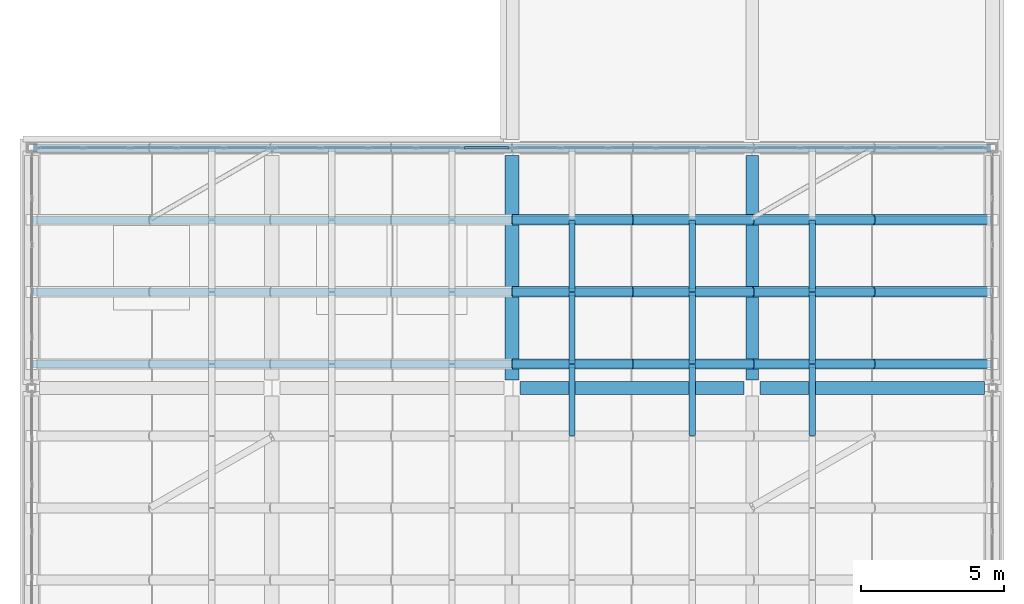
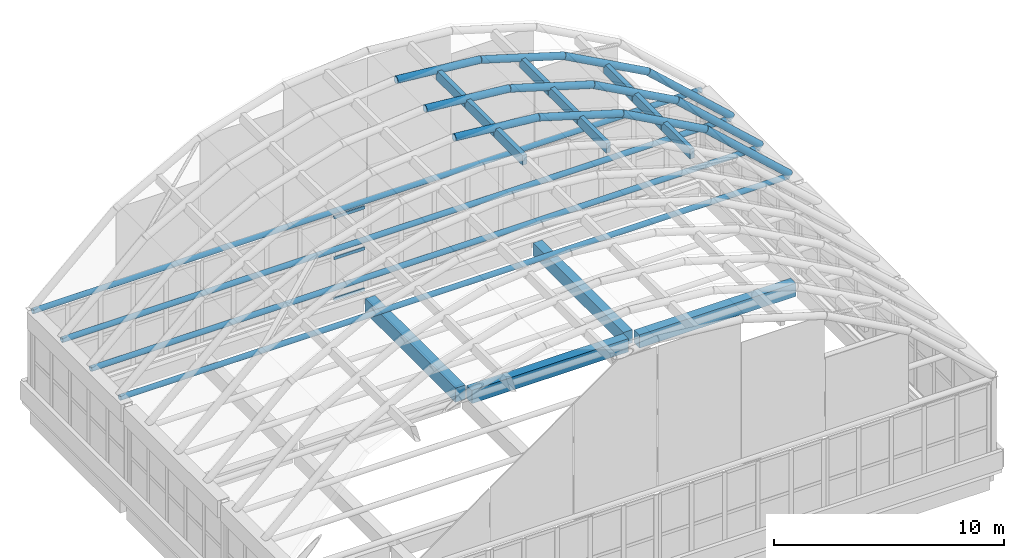
# One storey, part 16 of 26: 20 beams, 12 members, 1 element without a shape of its own.
"""IFC4 building model written with IfcOpenShell, lengths in metres."""

from ifc_helpers import new_model, si_unit, direction, frame, origin, origin_2d, place, context, subcontext, project, spatial, rectangle, hollow_rectangle, hollow_circle, extrude, material, layer, layer_set, material_profile, profile_set, type_object, element, aggregate, save


model = new_model("IFC4")

# Units and contexts
model_context = context("Model", 3, precision=1e-05, world=origin(), true_north=direction((0.0, 1.0)))
body_context = subcontext(model_context, "Body", "Model", "MODEL_VIEW")
ifc_project = project(units=[si_unit("LENGTHUNIT", "METRE"), si_unit("AREAUNIT", "SQUARE_METRE"), si_unit("VOLUMEUNIT", "CUBIC_METRE"), si_unit("PLANEANGLEUNIT", "RADIAN"), si_unit("MASSUNIT", "GRAM", prefix="KILO")], contexts=[model_context])

# Site, building, storey
site_placement = place(None, origin())
site = spatial("IfcSite", under=ifc_project, at=site_placement, CompositionType="ELEMENT")
building_placement = place(site_placement, origin())
building = spatial("IfcBuilding", under=site, at=building_placement, Name="Xazarin Passage Department Store", CompositionType="ELEMENT")
storey_placement = place(building_placement, frame((0.0, 0.0, 36.89990234375)))
storey = spatial("IfcBuildingStorey", under=building, at=storey_placement, Name="RF", CompositionType="ELEMENT", Elevation=36.89990234375)

# Curtain wall, members
ifc_material_1 = material(Name="Bronze anodised aluminium", Category="aluminium")
ifc_layer = layer(ifc_material_1, 0.199951171875)
ifc_layer_set = layer_set([ifc_layer], Name="Bronze anodised aluminium")
curtain_wall_type = type_object("IfcCurtainWallType", Name="ARC-CW-VIT2", PredefinedType="NOTDEFINED", material=ifc_layer_set)
curtain_wall_placement = place(storey_placement, origin())
curtain_wall = element("IfcCurtainWall", 1, at=curtain_wall_placement, inside=storey, type_object=curtain_wall_type, Name="RF V1 Atrium Lantern Curtain Wall 10", PredefinedType="NOTDEFINED")
ifc_material_profile_1 = material_profile(ifc_material_1, hollow_rectangle(XDim=0.074951171875, YDim=0.159912109375, WallThickness=0.00439453125, at=origin_2d()), Name="ALU 75x160")
ifc_profile_set_1 = profile_set([ifc_material_profile_1], Name="Bronze anodised aluminium")
member_type_1 = type_object("IfcMemberType", Name="ARC-CWT-75x160", PredefinedType="USERDEFINED", material=ifc_profile_set_1)
member_1_placement = place(storey_placement, frame((15.133544921875, 101.60009765625, 0.03759765625), z_axis=(1.0, 0.0, 0.0), x_axis=(0.0, 1.0, 0.0)))
member_1 = element("IfcMember", 2, at=member_1_placement, type_object=member_type_1, Name="CW2 transom 5.1", ObjectType="TRANSOM", PredefinedType="USERDEFINED", context=body_context, shape_type="SweptSolid", body=[
    extrude(hollow_rectangle(XDim=0.074951171875, YDim=0.159912109375, WallThickness=0.00439453125, at=origin_2d()), origin(), (0.0, 0.0, 1.0), 1.551513671875),
])
member_2_placement = place(storey_placement, frame((15.133544921875, 101.60009765625, 2.2021484375), z_axis=(1.0, 0.0, 0.0), x_axis=(0.0, 1.0, 0.0)))
member_2 = element("IfcMember", 3, at=member_2_placement, type_object=member_type_1, Name="CW2 transom 5.2", ObjectType="TRANSOM", PredefinedType="USERDEFINED", context=body_context, shape_type="SweptSolid", body=[
    extrude(hollow_rectangle(XDim=0.074951171875, YDim=0.159912109375, WallThickness=0.00439453125, at=origin_2d()), origin(), (0.0, 0.0, 1.0), 1.551513671875),
])
member_3_placement = place(storey_placement, frame((15.133544921875, 101.60009765625, 4.36669921875), z_axis=(1.0, 0.0, 0.0), x_axis=(0.0, 1.0, 0.0)))
member_3 = element("IfcMember", 4, at=member_3_placement, type_object=member_type_1, Name="CW2 transom 5.3", ObjectType="TRANSOM", PredefinedType="USERDEFINED", context=body_context, shape_type="SweptSolid", body=[
    extrude(hollow_rectangle(XDim=0.074951171875, YDim=0.159912109375, WallThickness=0.00439453125, at=origin_2d()), origin(), (0.0, 0.0, 1.0), 1.551513671875),
])
aggregate(curtain_wall, [member_1, member_2, member_3])

# Beams
ifc_material_2 = material(Name="Steel S355", Category="steel")
ifc_material_profile_2 = material_profile(ifc_material_2, hollow_circle(Radius=0.177734375, WallThickness=0.01611328125, at=origin_2d()), Name="CHS 355.6x16")
ifc_profile_set_2 = profile_set([ifc_material_profile_2], Name="Steel S355")
beam_type_1 = type_object("IfcBeamType", Name="STR-BM-AR355", PredefinedType="BEAM", material=ifc_profile_set_2)
beam_1_placement = place(storey_placement, frame((16.800048828125, 94.0400390625, 12.60009765625), z_axis=(0.995387696044, 0.0, -0.095934011512), x_axis=(0.0, 1.0, 0.0)))
element("IfcBeam", 5, at=beam_1_placement, inside=storey, type_object=beam_type_1, Name="V1V Primary Arch Rib 8.5", PredefinedType="BEAM", context=body_context, shape_type="SweptSolid", body=[
    extrude(hollow_circle(Radius=0.177734375, WallThickness=0.01611328125, at=origin_2d()), origin(), (0.0, 0.0, 1.0), 4.219482421875),
])
beam_2_placement = place(storey_placement, frame((21.0, 94.0400390625, 12.1953125), z_axis=(0.957702086096, 0.0, -0.287761558044), x_axis=(0.0, 1.0, 0.0)))
element("IfcBeam", 6, at=beam_2_placement, inside=storey, type_object=beam_type_1, Name="V1V Primary Arch Rib 8.6", PredefinedType="BEAM", context=body_context, shape_type="SweptSolid", body=[
    extrude(hollow_circle(Radius=0.177734375, WallThickness=0.01611328125, at=origin_2d()), origin(), (0.0, 0.0, 1.0), 4.385498046875),
])
beam_3_placement = place(storey_placement, frame((25.199951171875, 94.0400390625, 10.933349609375), z_axis=(0.877197007336, 0.0, -0.480130617978), x_axis=(0.0, 1.0, 0.0)))
element("IfcBeam", 7, at=beam_3_placement, inside=storey, type_object=beam_type_1, Name="V1V Primary Arch Rib 8.7", PredefinedType="BEAM", context=body_context, shape_type="SweptSolid", body=[
    extrude(hollow_circle(Radius=0.177734375, WallThickness=0.01611328125, at=origin_2d()), origin(), (0.0, 0.0, 1.0), 4.787841796875),
])
beam_4_placement = place(storey_placement, frame((29.39990234375, 94.0400390625, 8.634521484375), z_axis=(0.7388916912, 0.0, -0.673824211999), x_axis=(0.0, 1.0, 0.0)))
element("IfcBeam", 8, at=beam_4_placement, inside=storey, type_object=beam_type_1, Name="V1V Primary Arch Rib 8.8", PredefinedType="BEAM", context=body_context, shape_type="SweptSolid", body=[
    extrude(hollow_circle(Radius=0.177734375, WallThickness=0.01611328125, at=origin_2d()), origin(), (0.0, 0.0, 1.0), 5.6845703125),
])
beam_5_placement = place(storey_placement, frame((16.800048828125, 96.56005859375, 12.60009765625), z_axis=(0.995387696044, 0.0, -0.095934011512), x_axis=(0.0, 1.0, 0.0)))
element("IfcBeam", 9, at=beam_5_placement, inside=storey, type_object=beam_type_1, Name="V1V Primary Arch Rib 9.5", PredefinedType="BEAM", context=body_context, shape_type="SweptSolid", body=[
    extrude(hollow_circle(Radius=0.177734375, WallThickness=0.01611328125, at=origin_2d()), origin(), (0.0, 0.0, 1.0), 4.219482421875),
])
beam_6_placement = place(storey_placement, frame((21.0, 96.56005859375, 12.1953125), z_axis=(0.957702086096, 0.0, -0.287761558044), x_axis=(0.0, 1.0, 0.0)))
element("IfcBeam", 10, at=beam_6_placement, inside=storey, type_object=beam_type_1, Name="V1V Primary Arch Rib 9.6", PredefinedType="BEAM", context=body_context, shape_type="SweptSolid", body=[
    extrude(hollow_circle(Radius=0.177734375, WallThickness=0.01611328125, at=origin_2d()), origin(), (0.0, 0.0, 1.0), 4.385498046875),
])
beam_7_placement = place(storey_placement, frame((25.199951171875, 96.56005859375, 10.933349609375), z_axis=(0.877197007336, 0.0, -0.480130617978), x_axis=(0.0, 1.0, 0.0)))
element("IfcBeam", 11, at=beam_7_placement, inside=storey, type_object=beam_type_1, Name="V1V Primary Arch Rib 9.7", PredefinedType="BEAM", context=body_context, shape_type="SweptSolid", body=[
    extrude(hollow_circle(Radius=0.177734375, WallThickness=0.01611328125, at=origin_2d()), origin(), (0.0, 0.0, 1.0), 4.787841796875),
])
beam_8_placement = place(storey_placement, frame((29.39990234375, 96.56005859375, 8.634521484375), z_axis=(0.7388916912, 0.0, -0.673824211999), x_axis=(0.0, 1.0, 0.0)))
element("IfcBeam", 12, at=beam_8_placement, inside=storey, type_object=beam_type_1, Name="V1V Primary Arch Rib 9.8", PredefinedType="BEAM", context=body_context, shape_type="SweptSolid", body=[
    extrude(hollow_circle(Radius=0.177734375, WallThickness=0.01611328125, at=origin_2d()), origin(), (0.0, 0.0, 1.0), 5.6845703125),
])
beam_9_placement = place(storey_placement, frame((16.800048828125, 99.080078125, 12.60009765625), z_axis=(0.995387696044, 0.0, -0.095934011512), x_axis=(0.0, 1.0, 0.0)))
element("IfcBeam", 13, at=beam_9_placement, inside=storey, type_object=beam_type_1, Name="V1V Primary Arch Rib 10.5", PredefinedType="BEAM", context=body_context, shape_type="SweptSolid", body=[
    extrude(hollow_circle(Radius=0.177734375, WallThickness=0.01611328125, at=origin_2d()), origin(), (0.0, 0.0, 1.0), 4.219482421875),
])
beam_10_placement = place(storey_placement, frame((21.0, 99.080078125, 12.1953125), z_axis=(0.957702086096, 0.0, -0.287761558044), x_axis=(0.0, 1.0, 0.0)))
element("IfcBeam", 14, at=beam_10_placement, inside=storey, type_object=beam_type_1, Name="V1V Primary Arch Rib 10.6", PredefinedType="BEAM", context=body_context, shape_type="SweptSolid", body=[
    extrude(hollow_circle(Radius=0.177734375, WallThickness=0.01611328125, at=origin_2d()), origin(), (0.0, 0.0, 1.0), 4.385498046875),
])
beam_11_placement = place(storey_placement, frame((25.199951171875, 99.080078125, 10.933349609375), z_axis=(0.877197007336, 0.0, -0.480130617978), x_axis=(0.0, 1.0, 0.0)))
element("IfcBeam", 15, at=beam_11_placement, inside=storey, type_object=beam_type_1, Name="V1V Primary Arch Rib 10.7", PredefinedType="BEAM", context=body_context, shape_type="SweptSolid", body=[
    extrude(hollow_circle(Radius=0.177734375, WallThickness=0.01611328125, at=origin_2d()), origin(), (0.0, 0.0, 1.0), 4.787841796875),
])
beam_12_placement = place(storey_placement, frame((29.39990234375, 99.080078125, 8.634521484375), z_axis=(0.7388916912, 0.0, -0.673824211999), x_axis=(0.0, 1.0, 0.0)))
element("IfcBeam", 16, at=beam_12_placement, inside=storey, type_object=beam_type_1, Name="V1V Primary Arch Rib 10.8", PredefinedType="BEAM", context=body_context, shape_type="SweptSolid", body=[
    extrude(hollow_circle(Radius=0.177734375, WallThickness=0.01611328125, at=origin_2d()), origin(), (0.0, 0.0, 1.0), 5.6845703125),
])
ifc_material_3 = material(Name="Concrete C35/45", Category="concrete")
ifc_material_profile_3 = material_profile(ifc_material_3, rectangle(XDim=0.449951171875, YDim=0.699951171875, at=origin_2d()), Name="RC 450x700")
ifc_profile_set_3 = profile_set([ifc_material_profile_3], Name="Concrete C35/45")
beam_type_2 = type_object("IfcBeamType", Name="STR-BM-G450x700", PredefinedType="BEAM", material=ifc_profile_set_3)
beam_13_placement = place(storey_placement, frame((17.080078125, 93.199951171875, -0.60986328125), z_axis=(1.0, 0.0, 0.0), x_axis=(0.0, 1.0, 0.0)))
element("IfcBeam", 17, at=beam_13_placement, inside=storey, type_object=beam_type_2, Name="RF Grid Beam N/3-4", PredefinedType="BEAM", context=body_context, shape_type="SweptSolid", body=[
    extrude(rectangle(XDim=0.449951171875, YDim=0.699951171875, at=origin_2d()), origin(), (0.0, 0.0, 1.0), 7.83984375),
])
for number, where, z_axis, x_axis, name in (
    (18, (25.47998046875, 93.199951171875, -0.60986328125), (1.0, 0.0, 0.0), (0.0, 1.0, 0.0), "RF Grid Beam N/4-5"),
    (19, (25.199951171875, 93.47998046875, -0.60986328125), (0.0, 1.0, 0.0), (-1.0, 0.0, 0.0), "RF Grid Beam 4/N-P"),
):
    element("IfcBeam", number, at=place(storey_placement, frame(where, z_axis=z_axis, x_axis=x_axis)), inside=storey, type_object=beam_type_2, Name=name, PredefinedType="BEAM", context=body_context, shape_type="SweptSolid", body=[
        extrude(rectangle(XDim=0.449951171875, YDim=0.699951171875, at=origin_2d()), origin(), (0.0, 0.0, 1.0), 7.840087890625),
    ])
ifc_material_profile_4 = material_profile(ifc_material_3, rectangle(XDim=0.5, YDim=0.75, at=origin_2d()), Name="RC 500x750")
ifc_profile_set_4 = profile_set([ifc_material_profile_4], Name="Concrete C35/45")
beam_type_3 = type_object("IfcBeamType", Name="STR-BM-SP500x750", PredefinedType="SPANDREL", material=ifc_profile_set_4)
beam_14_placement = place(storey_placement, frame((16.800048828125, 93.47998046875, -0.635009765625), z_axis=(0.0, 1.0, 0.0), x_axis=(-1.0, 0.0, 0.0)))
element("IfcBeam", 20, at=beam_14_placement, inside=storey, type_object=beam_type_3, Name="RF Grid Beam 3/N-P", PredefinedType="SPANDREL", context=body_context, shape_type="SweptSolid", body=[
    extrude(rectangle(XDim=0.5, YDim=0.75, at=origin_2d()), origin(), (0.0, 0.0, 1.0), 7.840087890625),
])
ifc_material_profile_5 = material_profile(ifc_material_2, hollow_circle(Radius=0.136474609375, WallThickness=0.012451171875, at=origin_2d()), Name="CHS 273x12.5")
ifc_profile_set_5 = profile_set([ifc_material_profile_5], Name="Steel S355")
beam_type_4 = type_object("IfcBeamType", Name="STR-BM-TIE273", PredefinedType="BEAM", material=ifc_profile_set_5)
for number, where, z_axis, x_axis, name in (
    (21, (0.050048828125, 94.0400390625, 4.684326171875), (1.0, 0.0, 0.0), (0.0, 1.0, 0.0), "V1V Arch Tie Beam 8"),
    (22, (0.050048828125, 96.56005859375, 4.684326171875), (1.0, 0.0, 0.0), (0.0, 1.0, 0.0), "V1V Arch Tie Beam 9"),
    (23, (0.050048828125, 99.080078125, 4.684326171875), (1.0, 0.0, 0.0), (0.0, 1.0, 0.0), "V1V Arch Tie Beam 10"),
    (24, (0.050048828125, 101.60009765625, 4.684326171875), (1.0, 0.0, 0.0), (0.0, 1.0, 0.0), "V1V Arch Tie Beam 11"),
):
    element("IfcBeam", number, at=place(storey_placement, frame(where, z_axis=z_axis, x_axis=x_axis)), inside=storey, type_object=beam_type_4, Name=name, PredefinedType="BEAM", context=body_context, shape_type="SweptSolid", body=[
        extrude(hollow_circle(Radius=0.136474609375, WallThickness=0.012451171875, at=origin_2d()), origin(), (0.0, 0.0, 1.0), 33.5),
    ])

# Members
ifc_material_4 = material(Name="Glulam GL28h", Category="wood")
ifc_material_profile_6 = material_profile(ifc_material_4, rectangle(XDim=0.219970703125, YDim=0.52001953125, at=origin_2d()), Name="GL28h 220x520")
ifc_profile_set_6 = profile_set([ifc_material_profile_6], Name="Glulam GL28h")
member_type_2 = type_object("IfcMemberType", Name="STR-MEM-GL520", PredefinedType="PURLIN", material=ifc_profile_set_6)
for number, where, z_axis, x_axis, name in (
    (25, (18.89990234375, 91.5400390625, 12.195556640625), (0.0, 1.0, 0.0), (-1.0, 0.0, 0.0), "V1V Glulam Gridshell Purlin 7.5"),
    (26, (23.10009765625, 91.5400390625, 11.3623046875), (0.0, 1.0, 0.0), (-1.0, 0.0, 0.0), "V1V Glulam Gridshell Purlin 7.6"),
    (27, (27.300048828125, 91.5400390625, 9.581787109375), (0.0, 1.0, 0.0), (-1.0, 0.0, 0.0), "V1V Glulam Gridshell Purlin 7.7"),
    (28, (18.89990234375, 94.06005859375, 12.195556640625), (0.0, 1.0, 0.0), (-1.0, 0.0, 0.0), "V1V Glulam Gridshell Purlin 8.5"),
    (29, (23.10009765625, 94.06005859375, 11.3623046875), (0.0, 1.0, 0.0), (-1.0, 0.0, 0.0), "V1V Glulam Gridshell Purlin 8.6"),
    (30, (27.300048828125, 94.06005859375, 9.581787109375), (0.0, 1.0, 0.0), (-1.0, 0.0, 0.0), "V1V Glulam Gridshell Purlin 8.7"),
    (31, (18.89990234375, 96.580078125, 12.195556640625), (0.0, 1.0, 0.0), (-1.0, 0.0, 0.0), "V1V Glulam Gridshell Purlin 9.5"),
    (32, (23.10009765625, 96.580078125, 11.3623046875), (0.0, 1.0, 0.0), (-1.0, 0.0, 0.0), "V1V Glulam Gridshell Purlin 9.6"),
    (33, (27.300048828125, 96.580078125, 9.581787109375), (0.0, 1.0, 0.0), (-1.0, 0.0, 0.0), "V1V Glulam Gridshell Purlin 9.7"),
):
    element("IfcMember", number, at=place(storey_placement, frame(where, z_axis=z_axis, x_axis=x_axis)), inside=storey, type_object=member_type_2, Name=name, PredefinedType="PURLIN", context=body_context, shape_type="SweptSolid", body=[
        extrude(rectangle(XDim=0.219970703125, YDim=0.52001953125, at=origin_2d()), origin(), (0.0, 0.0, 1.0), 2.47998046875),
    ])

save(model, "model.ifc")
